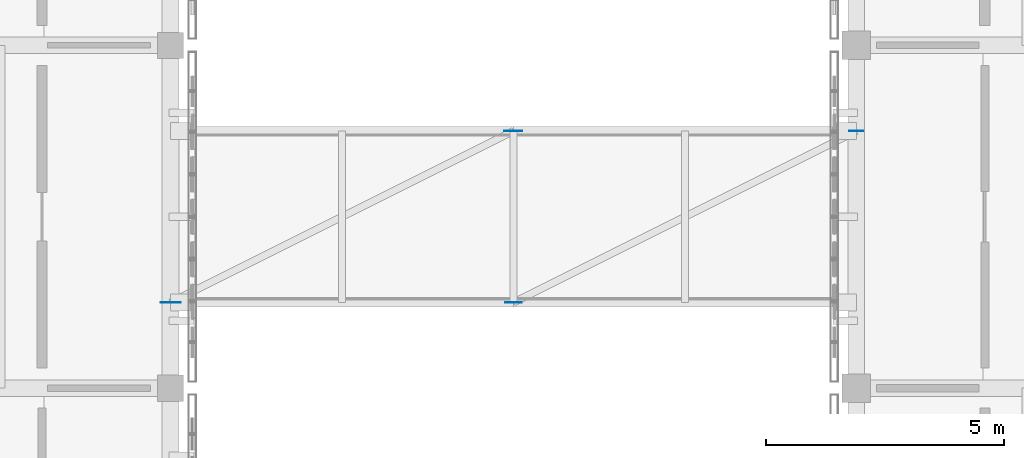
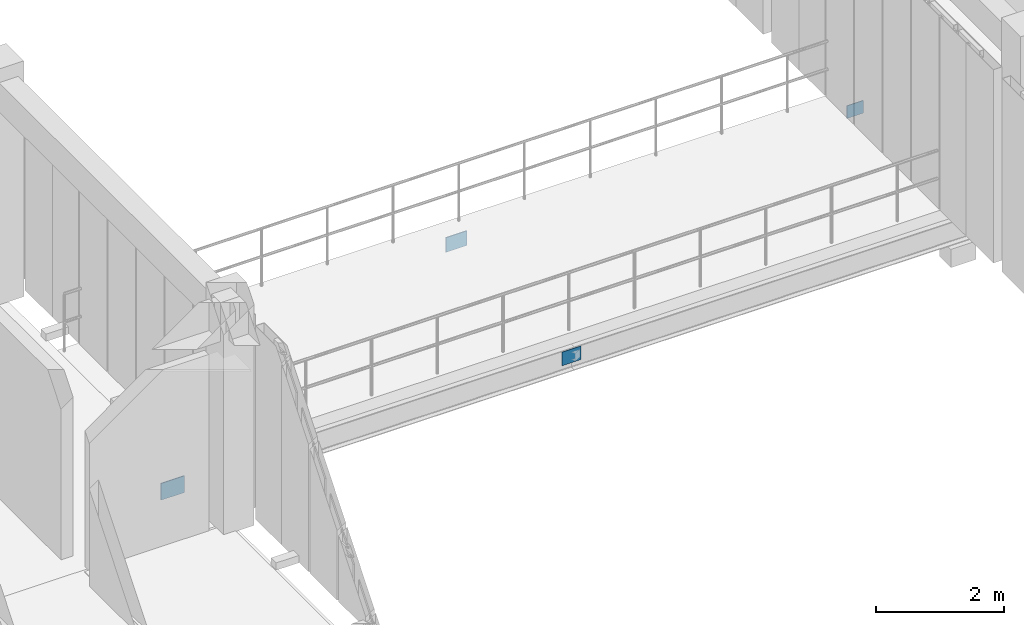
# One storey, part 65 of 91: 4 plates.
"""IFC4 building model written with IfcOpenShell, lengths in metres."""

from ifc_helpers import new_model, si_unit, direction, frame, origin, origin_2d, place, context, subcontext, project, spatial, rectangle, extrude, material, layer, layer_set, type_object, element, save


model = new_model("IFC4")

# Units and contexts
model_context = context("Model", 3, precision=1e-05, world=origin(), true_north=direction((0.0, 1.0)))
body_context = subcontext(model_context, "Body", "Model", "MODEL_VIEW")
ifc_project = project(units=[si_unit("LENGTHUNIT", "METRE"), si_unit("AREAUNIT", "SQUARE_METRE"), si_unit("VOLUMEUNIT", "CUBIC_METRE"), si_unit("PLANEANGLEUNIT", "RADIAN"), si_unit("MASSUNIT", "GRAM", prefix="KILO")], contexts=[model_context])

# Site, building, storey
site_placement = place(None, origin())
site = spatial("IfcSite", under=ifc_project, at=site_placement, CompositionType="ELEMENT")
building_placement = place(site_placement, origin())
building = spatial("IfcBuilding", under=site, at=building_placement, Name="Aldebral Square Health Centre", CompositionType="ELEMENT")
storey_placement = place(building_placement, frame((0.0, 0.0, 9.0)))
storey = spatial("IfcBuildingStorey", under=building, at=storey_placement, Name="L02", CompositionType="ELEMENT", Elevation=9.0)

# Plates
ifc_material = material(Name="Steel S355JR", Category="steel")
ifc_layer_1 = layer(ifc_material, 0.01611328125, Name="Steel S355JR", Category="steel")
ifc_layer_set_1 = layer_set([ifc_layer_1], Name="Steel S355JR")
plate_type_1 = type_object("IfcPlateType", Name="PL-GUS-1", PredefinedType="USERDEFINED", material=ifc_layer_set_1)
plate_1_placement = place(storey_placement, frame((144.0, 81.0, -0.60498046875), z_axis=(0.0, 0.0, 1.0), x_axis=(1.0, 0.0, 0.0)))
element("IfcPlate", 1, at=plate_1_placement, inside=storey, type_object=plate_type_1, Name="East Light Court Bridge L02 plan brace 1 start gusset plate", ObjectType="GUSSET_PLATE", PredefinedType="USERDEFINED", context=body_context, shape_type="SweptSolid", body=[
    extrude(rectangle(XDim=0.419921875, YDim=0.01611328125, at=origin_2d()), origin(), (0.0, 0.0, 1.0), 0.320068359375),
])
ifc_layer_2 = layer(ifc_material, 0.01611328125, Name="Steel S355JR", Category="steel")
ifc_layer_set_2 = layer_set([ifc_layer_2], Name="Steel S355JR")
plate_type_2 = type_object("IfcPlateType", Name="PL-GUS-2", PredefinedType="USERDEFINED", material=ifc_layer_set_2)
plate_2_placement = place(storey_placement, frame((151.199951171875, 84.60009765625, -0.5849609375), z_axis=(0.0, 0.0, 1.0), x_axis=(1.0, 0.0, 0.0)))
element("IfcPlate", 2, at=plate_2_placement, inside=storey, type_object=plate_type_2, Name="East Light Court Bridge L02 plan brace 1 end gusset plate", ObjectType="GUSSET_PLATE", PredefinedType="USERDEFINED", context=body_context, shape_type="SweptSolid", body=[
    extrude(rectangle(XDim=0.3798828125, YDim=0.01611328125, at=origin_2d()), origin(), (0.0, 0.0, 1.0), 0.280029296875),
])
ifc_layer_3 = layer(ifc_material, 0.013916015625, Name="Steel S355JR", Category="steel")
ifc_layer_set_3 = layer_set([ifc_layer_3], Name="Steel S355JR")
plate_type_3 = type_object("IfcPlateType", Name="PL-GUS-3", PredefinedType="USERDEFINED", material=ifc_layer_set_3)
plate_3_placement = place(storey_placement, frame((151.199951171875, 81.0, -0.5751953125), z_axis=(0.0, 0.0, 1.0), x_axis=(1.0, 0.0, 0.0)))
element("IfcPlate", 3, at=plate_3_placement, inside=storey, type_object=plate_type_3, Name="East Light Court Bridge L02 plan brace 2 start gusset plate", ObjectType="GUSSET_PLATE", PredefinedType="USERDEFINED", context=body_context, shape_type="SweptSolid", body=[
    extrude(rectangle(XDim=0.340087890625, YDim=0.013916015625, at=origin_2d()), origin(), (0.0, 0.0, 1.0), 0.260009765625),
])
ifc_layer_4 = layer(ifc_material, 0.013916015625, Name="Steel S355JR", Category="steel")
ifc_layer_set_4 = layer_set([ifc_layer_4], Name="Steel S355JR")
plate_type_4 = type_object("IfcPlateType", Name="PL-GUS-4", PredefinedType="USERDEFINED", material=ifc_layer_set_4)
plate_4_placement = place(storey_placement, frame((158.39990234375, 84.60009765625, -0.56494140625), z_axis=(0.0, 0.0, 1.0), x_axis=(1.0, 0.0, 0.0)))
element("IfcPlate", 4, at=plate_4_placement, inside=storey, type_object=plate_type_4, Name="East Light Court Bridge L02 plan brace 2 end gusset plate", ObjectType="GUSSET_PLATE", PredefinedType="USERDEFINED", context=body_context, shape_type="SweptSolid", body=[
    extrude(rectangle(XDim=0.300048828125, YDim=0.013916015625, at=origin_2d()), origin(), (0.0, 0.0, 1.0), 0.239990234375),
])

save(model, "model.ifc")
